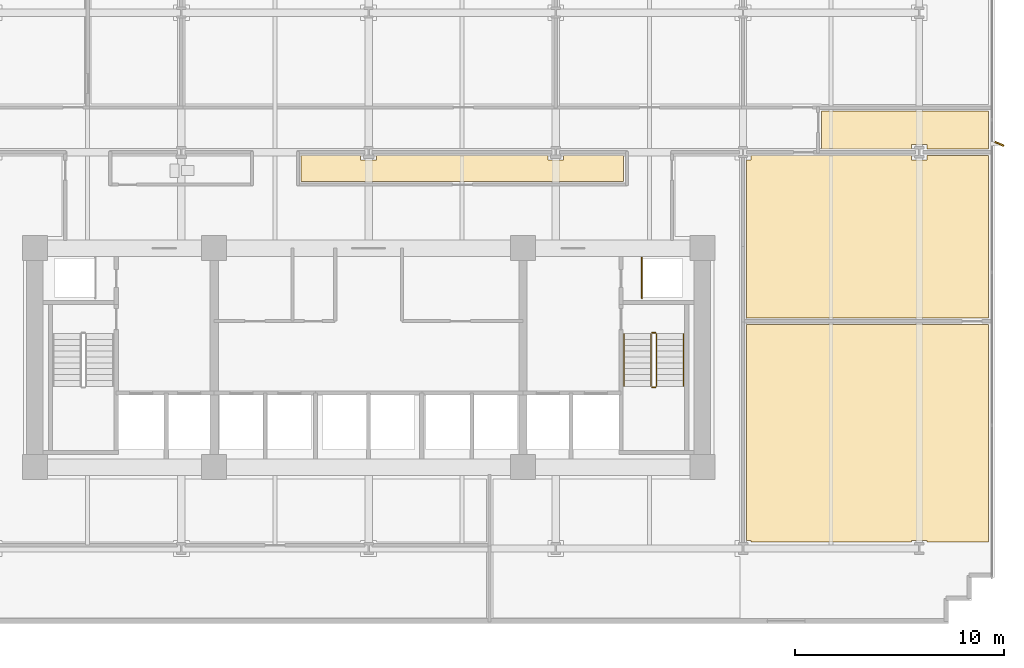
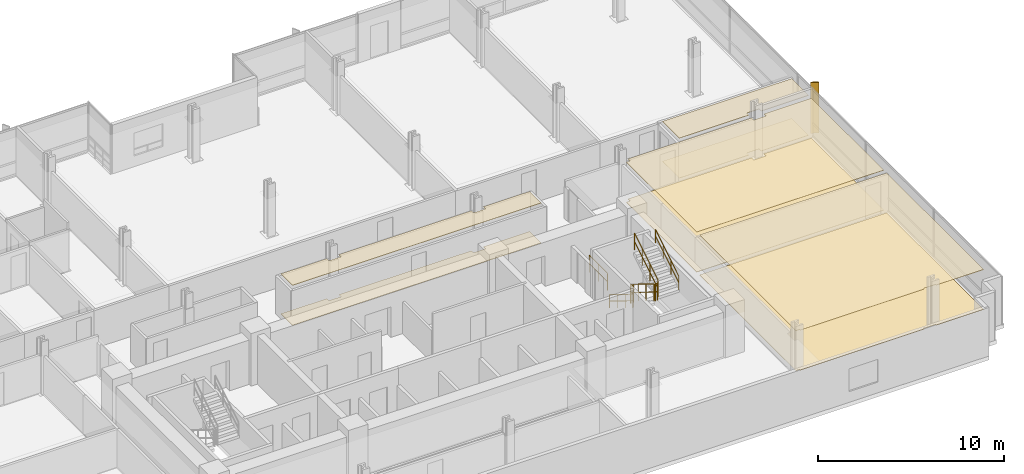
# One storey, part 18 of 20: 8 coverings, 7 railings, 1 shading device.
"""IFC4 building model written with IfcOpenShell, lengths in metres."""

from ifc_helpers import new_model, si_unit, direction, frame, origin, origin_2d, place, context, subcontext, project, spatial, polyline, rectangle, circle, outline, extrude, material, layer, layer_set, type_object, element, save


model = new_model("IFC4")

# Units and contexts
model_context = context("Model", 3, precision=1e-05, world=origin(), true_north=direction((0.0, 1.0)))
body_context = subcontext(model_context, "Body", "Model", "MODEL_VIEW")
ifc_project = project(units=[si_unit("LENGTHUNIT", "METRE"), si_unit("AREAUNIT", "SQUARE_METRE"), si_unit("VOLUMEUNIT", "CUBIC_METRE"), si_unit("PLANEANGLEUNIT", "RADIAN"), si_unit("MASSUNIT", "GRAM", prefix="KILO")], contexts=[model_context])

# Site, building, storey
site_placement = place(None, origin())
site = spatial("IfcSite", under=ifc_project, at=site_placement, CompositionType="ELEMENT")
building_placement = place(site_placement, origin())
building = spatial("IfcBuilding", under=site, at=building_placement, Name="Solmavex Isthmus Hotel", CompositionType="ELEMENT")
storey_placement = place(building_placement, frame((0.0, 0.0, 57.449951171875)))
storey = spatial("IfcBuildingStorey", under=building, at=storey_placement, Name="L15", CompositionType="ELEMENT", Elevation=57.449951171875)

# Coverings
ifc_material_1 = material(Name="Gypsum plasterboard lining", Category="gypsum")
ifc_layer_1 = layer(ifc_material_1, 0.030029296875)
ifc_layer_set_1 = layer_set([ifc_layer_1], Name="Gypsum plasterboard lining")
covering_type_1 = type_object("IfcCoveringType", Name="COV-CEIL-GYP", PredefinedType="CEILING", material=ifc_layer_set_1)
covering_1_placement = place(storey_placement, frame((0.0, 0.0, 2.6201171875)))
element("IfcCovering", 1, at=covering_1_placement, inside=storey, type_object=covering_type_1, Name="Suspended Acoustic Ceiling L15-FL08", PredefinedType="CEILING", context=body_context, shape_type="SweptSolid", body=[
    extrude(outline(polyline([(26.02001953125, 2.2548828125), (26.02001953125, 2.47998046875), (26.780029296875, 2.47998046875), (26.780029296875, 2.2548828125), (29.72509765625, 2.2548828125), (29.72509765625, 4.074951171875), (21.70703125, 4.074951171875), (21.70703125, 2.2548828125), (26.02001953125, 2.2548828125)])), origin(), (0.0, 0.0, 1.0), 0.030029296875),
])
covering_2_placement = place(storey_placement, frame((0.0, 0.0, 2.6201171875)))
element("IfcCovering", 2, at=covering_2_placement, inside=storey, type_object=covering_type_1, Name="Suspended Acoustic Ceiling L15-FL09", PredefinedType="CEILING", context=body_context, shape_type="SweptSolid", body=[
    extrude(outline(polyline([(0.3798828125, 1.945068359375), (0.3798828125, 1.719970703125), (-0.3798828125, 1.719970703125), (-0.3798828125, 1.945068359375), (-3.23291015625, 1.945068359375), (-3.23291015625, 0.705078125), (12.22900390625, 0.705078125), (12.22900390625, 1.945068359375), (9.35595703125, 1.945068359375), (9.35595703125, 1.719970703125), (8.595947265625, 1.719970703125), (8.595947265625, 1.945068359375), (0.3798828125, 1.945068359375)])), origin(), (0.0, 0.0, 1.0), 0.030029296875),
])
covering_3_placement = place(storey_placement, frame((0.0, 0.0, 2.6201171875)))
element("IfcCovering", 3, at=covering_3_placement, inside=storey, type_object=covering_type_1, Name="Suspended Acoustic Ceiling L15-FL11", PredefinedType="CEILING", context=body_context, shape_type="SweptSolid", body=[
    extrude(outline(polyline([(18.33203125, 1.945068359375), (18.33203125, 1.719970703125), (18.10693359375, 1.719970703125), (18.10693359375, -5.844970703125), (29.72509765625, -5.844970703125), (29.72509765625, 1.945068359375), (26.780029296875, 1.945068359375), (26.780029296875, 1.719970703125), (26.02001953125, 1.719970703125), (26.02001953125, 1.945068359375), (18.33203125, 1.945068359375)])), origin(), (0.0, 0.0, 1.0), 0.030029296875),
])
covering_4_placement = place(storey_placement, frame((0.0, 0.0, 2.6201171875)))
element("IfcCovering", 4, at=covering_4_placement, inside=storey, type_object=covering_type_1, Name="Suspended Acoustic Ceiling L15-FL16", PredefinedType="CEILING", context=body_context, shape_type="SweptSolid", body=[
    extrude(outline(polyline([(18.10693359375, -16.52001953125), (18.33203125, -16.52001953125), (18.33203125, -16.594970703125), (26.02001953125, -16.594970703125), (26.02001953125, -16.52001953125), (26.780029296875, -16.52001953125), (26.780029296875, -16.594970703125), (29.72509765625, -16.594970703125), (29.72509765625, -6.155029296875), (18.10693359375, -6.155029296875), (18.10693359375, -16.52001953125)])), origin(), (0.0, 0.0, 1.0), 0.030029296875),
])
ifc_material_2 = material(Name="Travertine natural stone", Category="masonry")
ifc_layer_2 = layer(ifc_material_2, 0.02490234375)
ifc_layer_set_2 = layer_set([ifc_layer_2], Name="Travertine natural stone")
covering_type_2 = type_object("IfcCoveringType", Name="COV-FLOR-STN", PredefinedType="FLOORING", material=ifc_layer_set_2)
covering_5_placement = place(storey_placement, origin())
element("IfcCovering", 5, at=covering_5_placement, inside=storey, type_object=covering_type_2, Name="Stone and Timber Floor Finish L15-FL08", PredefinedType="FLOORING", context=body_context, shape_type="SweptSolid", body=[
    extrude(outline(polyline([(26.02001953125, 2.2548828125), (26.02001953125, 2.47998046875), (26.780029296875, 2.47998046875), (26.780029296875, 2.2548828125), (29.72509765625, 2.2548828125), (29.72509765625, 4.074951171875), (21.70703125, 4.074951171875), (21.70703125, 2.2548828125), (26.02001953125, 2.2548828125)])), origin(), (0.0, 0.0, 1.0), 0.025146484375),
])
covering_6_placement = place(storey_placement, origin())
element("IfcCovering", 6, at=covering_6_placement, inside=storey, type_object=covering_type_2, Name="Stone and Timber Floor Finish L15-FL09", PredefinedType="FLOORING", context=body_context, shape_type="SweptSolid", body=[
    extrude(outline(polyline([(0.3798828125, 1.945068359375), (0.3798828125, 1.719970703125), (-0.3798828125, 1.719970703125), (-0.3798828125, 1.945068359375), (-3.23291015625, 1.945068359375), (-3.23291015625, 0.705078125), (12.22900390625, 0.705078125), (12.22900390625, 1.945068359375), (9.35595703125, 1.945068359375), (9.35595703125, 1.719970703125), (8.595947265625, 1.719970703125), (8.595947265625, 1.945068359375), (0.3798828125, 1.945068359375)])), origin(), (0.0, 0.0, 1.0), 0.025146484375),
])
covering_7_placement = place(storey_placement, origin())
element("IfcCovering", 7, at=covering_7_placement, inside=storey, type_object=covering_type_2, Name="Stone and Timber Floor Finish L15-FL11", PredefinedType="FLOORING", context=body_context, shape_type="SweptSolid", body=[
    extrude(outline(polyline([(18.33203125, 1.945068359375), (18.33203125, 1.719970703125), (18.10693359375, 1.719970703125), (18.10693359375, -5.844970703125), (29.72509765625, -5.844970703125), (29.72509765625, 1.945068359375), (26.780029296875, 1.945068359375), (26.780029296875, 1.719970703125), (26.02001953125, 1.719970703125), (26.02001953125, 1.945068359375), (18.33203125, 1.945068359375)])), origin(), (0.0, 0.0, 1.0), 0.025146484375),
])
covering_8_placement = place(storey_placement, origin())
element("IfcCovering", 8, at=covering_8_placement, inside=storey, type_object=covering_type_2, Name="Stone and Timber Floor Finish L15-FL16", PredefinedType="FLOORING", context=body_context, shape_type="SweptSolid", body=[
    extrude(outline(polyline([(18.10693359375, -16.52001953125), (18.33203125, -16.52001953125), (18.33203125, -16.594970703125), (26.02001953125, -16.594970703125), (26.02001953125, -16.52001953125), (26.780029296875, -16.52001953125), (26.780029296875, -16.594970703125), (29.72509765625, -16.594970703125), (29.72509765625, -6.155029296875), (18.10693359375, -6.155029296875), (18.10693359375, -16.52001953125)])), origin(), (0.0, 0.0, 1.0), 0.025146484375),
])

# Railings
ifc_material_3 = material(Name="Clear low-E laminated glass", Category="glass")
ifc_layer_3 = layer(ifc_material_3, 0.080078125)
ifc_layer_set_3 = layer_set([ifc_layer_3], Name="Clear low-E laminated glass")
railing_type_1 = type_object("IfcRailingType", Name="RAIL-ATRIUM-1120", PredefinedType="BALUSTRADE", material=ifc_layer_set_3)
railing_1_placement = place(storey_placement, frame((13.10009765625, -4.89990234375, 0.0)))
element("IfcRailing", 9, at=railing_1_placement, inside=storey, type_object=railing_type_1, Name="Guardrail Balustrade L15-RSE-01", PredefinedType="BALUSTRADE", context=body_context, shape_type="SweptSolid", body=[
    extrude(circle(Radius=0.02392578125, at=origin_2d()), frame((0.0, 0.0, 1.1259765625), z_axis=(0.0, 1.0, 0.0), x_axis=(-1.0, 0.0, 0.0)), (0.0, 0.0, 1.0), 1.949951171875),
    extrude(circle(Radius=0.02392578125, at=origin_2d()), frame((0.0, 0.0, 0.574951171875), z_axis=(0.0, 1.0, 0.0), x_axis=(-1.0, 0.0, 0.0)), (0.0, 0.0, 1.0), 1.949951171875),
    extrude(circle(Radius=0.02099609375, at=origin_2d()), origin(), (0.0, 0.0, 1.0), 1.101806640625),
    extrude(circle(Radius=0.02099609375, at=origin_2d()), frame((0.0, 0.97509765625, 0.0)), (0.0, 0.0, 1.0), 1.101806640625),
    extrude(circle(Radius=0.02099609375, at=origin_2d()), frame((0.0, 1.949951171875, 0.0)), (0.0, 0.0, 1.0), 1.101806640625),
])
ifc_material_4 = material(Name="Stainless steel 316", Category="steel")
ifc_layer_4 = layer(ifc_material_4, 0.06005859375)
ifc_layer_set_4 = layer_set([ifc_layer_4], Name="Stainless steel 316")
railing_type_2 = type_object("IfcRailingType", Name="RAIL-STAIR-GD", PredefinedType="GUARDRAIL", material=ifc_layer_set_4)
railing_2_placement = place(storey_placement, frame((13.550048828125, -6.60009765625, 0.172607421875)))
element("IfcRailing", 10, at=railing_2_placement, inside=storey, type_object=railing_type_2, Name="L15 ST-2 stair guard 1", PredefinedType="GUARDRAIL", context=body_context, shape_type="SweptSolid", body=[
    extrude(circle(Radius=0.02392578125, at=origin_2d()), frame((0.0, 0.0, 1.09619140625), z_axis=(0.0, -0.851400495292, 0.524516154772), x_axis=(1.0, 0.0, 0.0)), (0.0, 0.0, 1.0), 2.9599609375),
    extrude(circle(Radius=0.02392578125, at=origin_2d()), frame((0.0, 0.0, 0.56005859375), z_axis=(0.0, -0.851400495292, 0.524516154772), x_axis=(1.0, 0.0, 0.0)), (0.0, 0.0, 1.0), 2.9599609375),
    extrude(circle(Radius=0.02099609375, at=origin_2d()), origin(), (0.0, 0.0, 1.0), 1.072021484375),
    extrude(circle(Radius=0.02099609375, at=origin_2d()), frame((0.0, -0.840087890625, 0.517578125)), (0.0, 0.0, 1.0), 1.072021484375),
    extrude(circle(Radius=0.02099609375, at=origin_2d()), frame((0.0, -1.679931640625, 1.034912109375)), (0.0, 0.0, 1.0), 1.072021484375),
    extrude(circle(Radius=0.02099609375, at=origin_2d()), frame((0.0, -2.52001953125, 1.552490234375)), (0.0, 0.0, 1.0), 1.072021484375),
])
railing_3_placement = place(storey_placement, frame((13.60009765625, -9.169921875, 1.72509765625)))
element("IfcRailing", 11, at=railing_3_placement, inside=storey, type_object=railing_type_2, Name="L15 ST-2 stair guard 2", PredefinedType="GUARDRAIL", context=body_context, shape_type="SweptSolid", body=[
    extrude(circle(Radius=0.02392578125, at=origin_2d()), frame((0.0, 0.0, 1.09619140625), z_axis=(1.0, 0.0, 0.0), x_axis=(0.0, 1.0, 0.0)), (0.0, 0.0, 1.0), 0.14990234375),
    extrude(circle(Radius=0.02392578125, at=origin_2d()), frame((0.0, 0.0, 0.56005859375), z_axis=(1.0, 0.0, 0.0), x_axis=(0.0, 1.0, 0.0)), (0.0, 0.0, 1.0), 0.14990234375),
    extrude(circle(Radius=0.02099609375, at=origin_2d()), origin(), (0.0, 0.0, 1.0), 1.072021484375),
    extrude(circle(Radius=0.02099609375, at=origin_2d()), frame((0.14990234375, 0.0, 0.0)), (0.0, 0.0, 1.0), 1.072021484375),
])
railing_4_placement = place(storey_placement, frame((13.800048828125, -9.1201171875, 1.8974609375)))
element("IfcRailing", 12, at=railing_4_placement, inside=storey, type_object=railing_type_2, Name="L15 ST-2 stair guard 3", PredefinedType="GUARDRAIL", context=body_context, shape_type="SweptSolid", body=[
    extrude(circle(Radius=0.02392578125, at=origin_2d()), frame((0.0, 0.0, 1.09619140625), z_axis=(0.0, 0.851400495292, 0.524516154772), x_axis=(-1.0, 0.0, 0.0)), (0.0, 0.0, 1.0), 2.9599609375),
    extrude(circle(Radius=0.02392578125, at=origin_2d()), frame((0.0, 0.0, 0.56005859375), z_axis=(0.0, 0.851400495292, 0.524516154772), x_axis=(-1.0, 0.0, 0.0)), (0.0, 0.0, 1.0), 2.9599609375),
    extrude(circle(Radius=0.02099609375, at=origin_2d()), origin(), (0.0, 0.0, 1.0), 1.072021484375),
    extrude(circle(Radius=0.02099609375, at=origin_2d()), frame((0.0, 0.840087890625, 0.517578125)), (0.0, 0.0, 1.0), 1.072021484375),
    extrude(circle(Radius=0.02099609375, at=origin_2d()), frame((0.0, 1.679931640625, 1.034912109375)), (0.0, 0.0, 1.0), 1.072021484375),
    extrude(circle(Radius=0.02099609375, at=origin_2d()), frame((0.0, 2.52001953125, 1.552490234375)), (0.0, 0.0, 1.0), 1.072021484375),
])
railing_5_placement = place(storey_placement, frame((13.60009765625, -6.550048828125, 0.0)))
element("IfcRailing", 13, at=railing_5_placement, inside=storey, type_object=railing_type_2, Name="L15 ST-2 stair guard 4", PredefinedType="GUARDRAIL", context=body_context, shape_type="SweptSolid", body=[
    extrude(circle(Radius=0.02392578125, at=origin_2d()), frame((0.0, 0.0, 1.09619140625), z_axis=(1.0, 0.0, 0.0), x_axis=(0.0, 1.0, 0.0)), (0.0, 0.0, 1.0), 0.14990234375),
    extrude(circle(Radius=0.02392578125, at=origin_2d()), frame((0.0, 0.0, 0.56005859375), z_axis=(1.0, 0.0, 0.0), x_axis=(0.0, 1.0, 0.0)), (0.0, 0.0, 1.0), 0.14990234375),
    extrude(circle(Radius=0.02099609375, at=origin_2d()), origin(), (0.0, 0.0, 1.0), 1.072021484375),
    extrude(circle(Radius=0.02099609375, at=origin_2d()), frame((0.14990234375, 0.0, 0.0)), (0.0, 0.0, 1.0), 1.072021484375),
])
ifc_layer_5 = layer(ifc_material_4, 0.050048828125)
ifc_layer_set_5 = layer_set([ifc_layer_5], Name="Stainless steel 316")
railing_type_3 = type_object("IfcRailingType", Name="RAIL-STAIR-HR", PredefinedType="HANDRAIL", material=ifc_layer_set_5)
railing_6_placement = place(storey_placement, frame((12.25, -6.60009765625, 0.172607421875)))
element("IfcRailing", 14, at=railing_6_placement, inside=storey, type_object=railing_type_3, Name="L15 ST-2 stair handrail 1", PredefinedType="HANDRAIL", context=body_context, shape_type="SweptSolid", body=[
    extrude(circle(Radius=0.02392578125, at=origin_2d()), frame((0.0, 0.0, 0.8759765625), z_axis=(0.0, -0.851400495292, 0.524516154772), x_axis=(1.0, 0.0, 0.0)), (0.0, 0.0, 1.0), 2.9599609375),
    extrude(circle(Radius=0.02392578125, at=origin_2d()), frame((0.0, 0.0, 0.449951171875), z_axis=(0.0, -0.851400495292, 0.524516154772), x_axis=(1.0, 0.0, 0.0)), (0.0, 0.0, 1.0), 2.9599609375),
    extrude(circle(Radius=0.02099609375, at=origin_2d()), origin(), (0.0, 0.0, 1.0), 0.851806640625),
    extrude(circle(Radius=0.02099609375, at=origin_2d()), frame((0.0, -0.840087890625, 0.517578125)), (0.0, 0.0, 1.0), 0.851806640625),
    extrude(circle(Radius=0.02099609375, at=origin_2d()), frame((0.0, -1.679931640625, 1.034912109375)), (0.0, 0.0, 1.0), 0.851806640625),
    extrude(circle(Radius=0.02099609375, at=origin_2d()), frame((0.0, -2.52001953125, 1.552490234375)), (0.0, 0.0, 1.0), 0.851806640625),
])
railing_7_placement = place(storey_placement, frame((15.10009765625, -9.1201171875, 1.8974609375)))
element("IfcRailing", 15, at=railing_7_placement, inside=storey, type_object=railing_type_3, Name="L15 ST-2 stair handrail 2", PredefinedType="HANDRAIL", context=body_context, shape_type="SweptSolid", body=[
    extrude(circle(Radius=0.02392578125, at=origin_2d()), frame((0.0, 0.0, 0.8759765625), z_axis=(0.0, 0.851400495292, 0.524516154772), x_axis=(-1.0, 0.0, 0.0)), (0.0, 0.0, 1.0), 2.9599609375),
    extrude(circle(Radius=0.02392578125, at=origin_2d()), frame((0.0, 0.0, 0.449951171875), z_axis=(0.0, 0.851400495292, 0.524516154772), x_axis=(-1.0, 0.0, 0.0)), (0.0, 0.0, 1.0), 2.9599609375),
    extrude(circle(Radius=0.02099609375, at=origin_2d()), origin(), (0.0, 0.0, 1.0), 0.851806640625),
    extrude(circle(Radius=0.02099609375, at=origin_2d()), frame((0.0, 0.840087890625, 0.517578125)), (0.0, 0.0, 1.0), 0.851806640625),
    extrude(circle(Radius=0.02099609375, at=origin_2d()), frame((0.0, 1.679931640625, 1.034912109375)), (0.0, 0.0, 1.0), 0.851806640625),
    extrude(circle(Radius=0.02099609375, at=origin_2d()), frame((0.0, 2.52001953125, 1.552490234375)), (0.0, 0.0, 1.0), 0.851806640625),
])

# Shading device
ifc_material_5 = material(Name="Aluminium alloy 6063-T6", Category="aluminium")
shading_device_type = type_object("IfcShadingDeviceType", Name="SHD-FIN-BRONZE", PredefinedType="USERDEFINED", material=ifc_material_5)
shading_device_placement = place(storey_placement, frame((30.239990234375, 2.5, -0.139892578125), z_axis=(0.0, 0.0, 1.0), x_axis=(0.913545457643, -0.406736643076, 0.0)))
element("IfcShadingDevice", 16, at=shading_device_placement, inside=storey, type_object=shading_device_type, Name="Anodised Aluminium Solar Fin L15-E1", ObjectType="SOLAR_FIN", PredefinedType="USERDEFINED", context=body_context, shape_type="SweptSolid", body=[
    extrude(rectangle(XDim=0.449951171875, YDim=0.080078125, at=origin_2d()), origin(), (0.0, 0.0, 1.0), 3.330078125),
])

save(model, "model.ifc")
